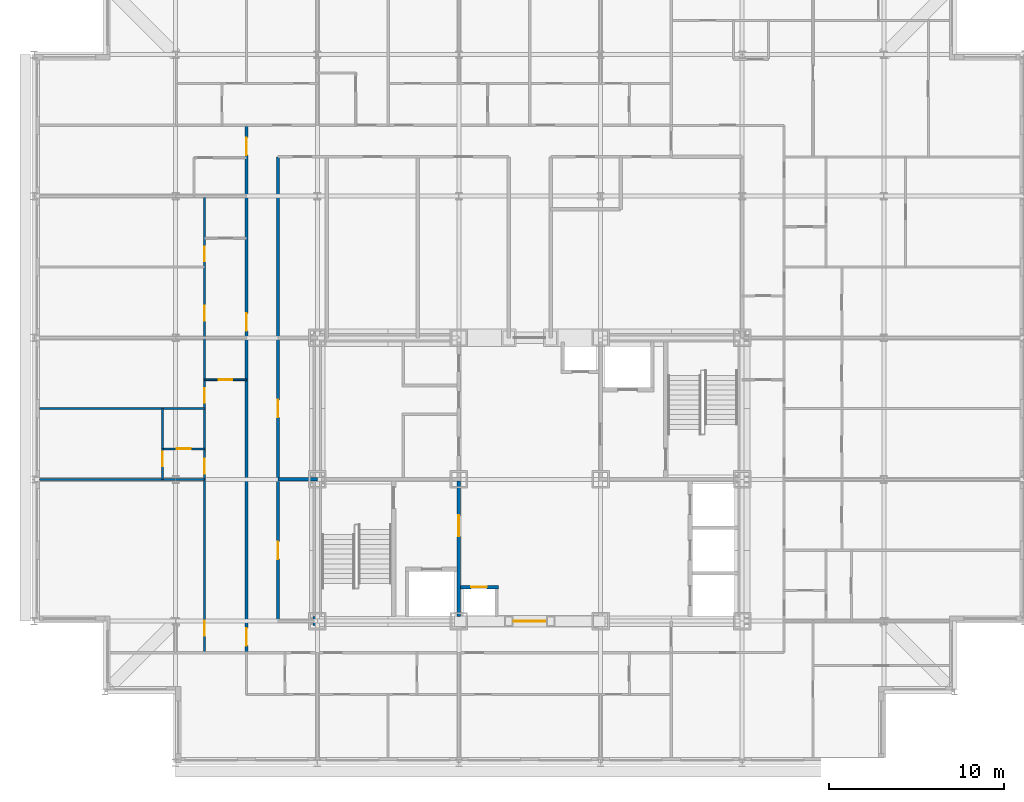
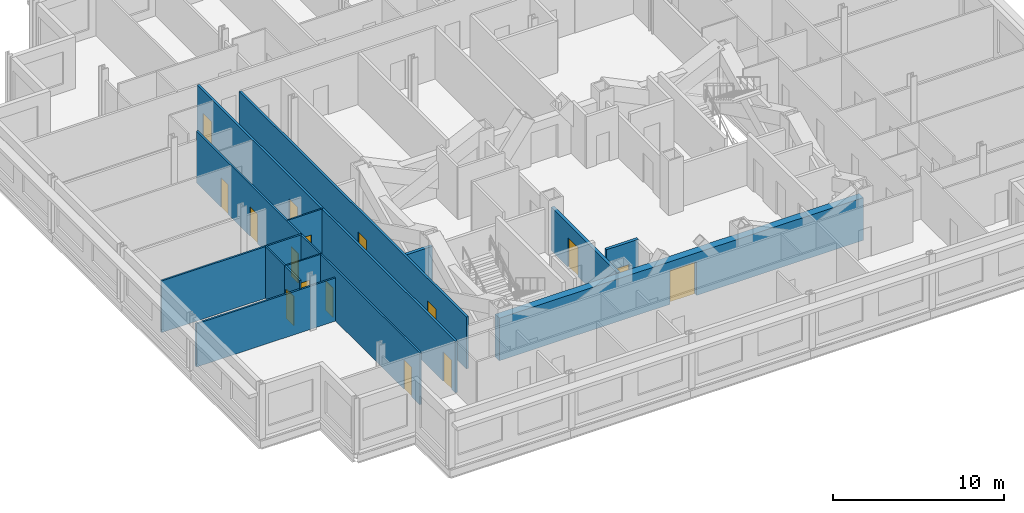
# One storey, part 8 of 15: 16 doors, 13 walls, 16 openings.
"""IFC4 building model written with IfcOpenShell, lengths in metres."""

from ifc_helpers import new_model, si_unit, direction, frame, frame_2d, origin, place, context, subcontext, project, spatial, rectangle, extrude, material, layer, layer_set, type_object, element, fill, save


model = new_model("IFC4")

# Units and contexts
model_context = context("Model", 3, precision=1e-05, world=origin(), true_north=direction((0.0, 1.0)))
body_context = subcontext(model_context, "Body", "Model", "MODEL_VIEW")
ifc_project = project(units=[si_unit("LENGTHUNIT", "METRE"), si_unit("AREAUNIT", "SQUARE_METRE"), si_unit("VOLUMEUNIT", "CUBIC_METRE"), si_unit("PLANEANGLEUNIT", "RADIAN"), si_unit("MASSUNIT", "GRAM", prefix="KILO")], contexts=[model_context])

# Site, building, storey
site_placement = place(None, origin())
site = spatial("IfcSite", under=ifc_project, at=site_placement, CompositionType="ELEMENT")
building_placement = place(site_placement, origin())
building = spatial("IfcBuilding", under=site, at=building_placement, Name="Kopane Lantern Tower", CompositionType="ELEMENT")
storey_placement = place(building_placement, frame((0.0, 0.0, 269.699951171875)))
storey = spatial("IfcBuildingStorey", under=building, at=storey_placement, Name="L69", CompositionType="ELEMENT", Elevation=269.699951171875)

# Wall, openings, doors
ifc_material_1 = material(Name="Gypsum board on steel studs", Category="steel")
ifc_layer_1 = layer(ifc_material_1, 0.1201171875)
ifc_layer_set_1 = layer_set([ifc_layer_1], Name="APARTMENT INTERNAL WALL 120")
wall_type_1 = type_object("IfcWallType", Name="APARTMENT INTERNAL WALL 120", PredefinedType="PARTITIONING", material=ifc_layer_set_1)
wall_1_placement = place(storey_placement, frame((9.75, 22.5, 0.0), z_axis=(0.0, 0.0, 1.0), x_axis=(0.0, 1.0, 0.0)))
wall_1 = element("IfcWall", 1, at=wall_1_placement, inside=storey, type_object=wall_type_1, Name="Apartment Internal Wall 120 L69", PredefinedType="PARTITIONING", context=body_context, shape_type="SweptSolid", body=[
    extrude(rectangle(XDim=26.10009765625, YDim=0.1201171875, at=frame_2d((13.050048828125, 0.0))), origin(), (0.0, 0.0, 1.0), 3.68994140625),
])
opening_1_placement = place(wall_1_placement, frame((0.97509765625, 0.0, 0.0)))
opening_1 = element("IfcOpeningElement", 2, at=opening_1_placement, cuts=wall_1, Name="Opening L69-028", PredefinedType="OPENING", context=body_context, shape_type="SweptSolid", body=[
    extrude(rectangle(XDim=0.85009765625, YDim=2.10009765625, at=frame_2d((0.425048828125, 1.050048828125))), frame((0.0, 0.070068359375, 0.0), z_axis=(0.0, -1.0, 0.0), x_axis=(1.0, 0.0, 0.0)), (0.0, 0.0, 1.0), 0.14013671875),
])
opening_2_placement = place(wall_1_placement, frame((10.22509765625, 0.0, 0.0)))
opening_2 = element("IfcOpeningElement", 3, at=opening_2_placement, cuts=wall_1, Name="Opening L69-030", PredefinedType="OPENING", context=body_context, shape_type="SweptSolid", body=[
    extrude(rectangle(XDim=0.85009765625, YDim=2.10009765625, at=frame_2d((0.425048828125, 1.050048828125))), frame((0.0, 0.070068359375, 0.0), z_axis=(0.0, -1.0, 0.0), x_axis=(1.0, 0.0, 0.0)), (0.0, 0.0, 1.0), 0.14013671875),
])
opening_3_placement = place(wall_1_placement, frame((14.27490234375, 0.0, 0.0)))
opening_3 = element("IfcOpeningElement", 4, at=opening_3_placement, cuts=wall_1, Name="Opening L69-031", PredefinedType="OPENING", context=body_context, shape_type="SweptSolid", body=[
    extrude(rectangle(XDim=0.85009765625, YDim=2.10009765625, at=frame_2d((0.425048828125, 1.050048828125))), frame((0.0, 0.070068359375, 0.0), z_axis=(0.0, -1.0, 0.0), x_axis=(1.0, 0.0, 0.0)), (0.0, 0.0, 1.0), 0.14013671875),
])
opening_4_placement = place(wall_1_placement, frame((18.97509765625, 0.0, 0.0)))
opening_4 = element("IfcOpeningElement", 5, at=opening_4_placement, cuts=wall_1, Name="Opening L69-034", PredefinedType="OPENING", context=body_context, shape_type="SweptSolid", body=[
    extrude(rectangle(XDim=0.85009765625, YDim=2.10009765625, at=frame_2d((0.425048828125, 1.050048828125))), frame((0.0, 0.070068359375, 0.0), z_axis=(0.0, -1.0, 0.0), x_axis=(1.0, 0.0, 0.0)), (0.0, 0.0, 1.0), 0.14013671875),
])
opening_5_placement = place(wall_1_placement, frame((22.375, 0.0, 0.0)))
opening_5 = element("IfcOpeningElement", 6, at=opening_5_placement, cuts=wall_1, Name="Opening L69-035", PredefinedType="OPENING", context=body_context, shape_type="SweptSolid", body=[
    extrude(rectangle(XDim=0.85009765625, YDim=2.10009765625, at=frame_2d((0.425048828125, 1.050048828125))), frame((0.0, 0.070068359375, 0.0), z_axis=(0.0, -1.0, 0.0), x_axis=(1.0, 0.0, 0.0)), (0.0, 0.0, 1.0), 0.14013671875),
])
ifc_material_2 = material(Name="Timber door set", Category="wood")
door_type_1 = type_object("IfcDoorType", Name="DOOR D4 850x2100", OperationType="SINGLE_SWING_LEFT", PredefinedType="DOOR", material=ifc_material_2)
door_1_placement = place(opening_1_placement, origin())
door_1 = element("IfcDoor", 7, at=door_1_placement, inside=storey, type_object=door_type_1, Name="Door L69-028", OperationType="SINGLE_SWING_RIGHT", OverallHeight=2.10009765625, OverallWidth=0.85009765625, PredefinedType="DOOR", context=body_context, shape_type="SweptSolid", body=[
    extrude(rectangle(XDim=0.85009765625, YDim=2.10009765625, at=frame_2d((0.425048828125, 1.050048828125))), frame((0.0, 0.02490234375, 0.0), z_axis=(0.0, -1.0, 0.0), x_axis=(1.0, 0.0, 0.0)), (0.0, 0.0, 1.0), 0.050048828125),
])
fill(opening_1, door_1)
door_2_placement = place(opening_2_placement, origin())
door_2 = element("IfcDoor", 8, at=door_2_placement, inside=storey, type_object=door_type_1, Name="Door L69-030", OperationType="SINGLE_SWING_LEFT", OverallHeight=2.10009765625, OverallWidth=0.85009765625, PredefinedType="DOOR", context=body_context, shape_type="SweptSolid", body=[
    extrude(rectangle(XDim=0.85009765625, YDim=2.10009765625, at=frame_2d((0.425048828125, 1.050048828125))), frame((0.0, 0.02490234375, 0.0), z_axis=(0.0, -1.0, 0.0), x_axis=(1.0, 0.0, 0.0)), (0.0, 0.0, 1.0), 0.050048828125),
])
fill(opening_2, door_2)
door_3_placement = place(opening_3_placement, origin())
door_3 = element("IfcDoor", 9, at=door_3_placement, inside=storey, type_object=door_type_1, Name="Door L69-031", OperationType="SINGLE_SWING_LEFT", OverallHeight=2.10009765625, OverallWidth=0.85009765625, PredefinedType="DOOR", context=body_context, shape_type="SweptSolid", body=[
    extrude(rectangle(XDim=0.85009765625, YDim=2.10009765625, at=frame_2d((0.425048828125, 1.050048828125))), frame((0.0, 0.02490234375, 0.0), z_axis=(0.0, -1.0, 0.0), x_axis=(1.0, 0.0, 0.0)), (0.0, 0.0, 1.0), 0.050048828125),
])
fill(opening_3, door_3)
door_4_placement = place(opening_4_placement, origin())
door_4 = element("IfcDoor", 10, at=door_4_placement, inside=storey, type_object=door_type_1, Name="Door L69-034", OperationType="SINGLE_SWING_RIGHT", OverallHeight=2.10009765625, OverallWidth=0.85009765625, PredefinedType="DOOR", context=body_context, shape_type="SweptSolid", body=[
    extrude(rectangle(XDim=0.85009765625, YDim=2.10009765625, at=frame_2d((0.425048828125, 1.050048828125))), frame((0.0, 0.02490234375, 0.0), z_axis=(0.0, -1.0, 0.0), x_axis=(1.0, 0.0, 0.0)), (0.0, 0.0, 1.0), 0.050048828125),
])
fill(opening_4, door_4)
door_5_placement = place(opening_5_placement, origin())
door_5 = element("IfcDoor", 11, at=door_5_placement, inside=storey, type_object=door_type_1, Name="Door L69-035", OperationType="SINGLE_SWING_LEFT", OverallHeight=2.10009765625, OverallWidth=0.85009765625, PredefinedType="DOOR", context=body_context, shape_type="SweptSolid", body=[
    extrude(rectangle(XDim=0.85009765625, YDim=2.10009765625, at=frame_2d((0.425048828125, 1.050048828125))), frame((0.0, 0.02490234375, 0.0), z_axis=(0.0, -1.0, 0.0), x_axis=(1.0, 0.0, 0.0)), (0.0, 0.0, 1.0), 0.050048828125),
])
fill(opening_5, door_5)

# Walls
wall_2_placement = place(storey_placement, frame((9.75, 32.39990234375, 0.0), z_axis=(0.0, 0.0, 1.0), x_axis=(-1.0, 0.0, 0.0)))
element("IfcWall", 12, at=wall_2_placement, inside=storey, type_object=wall_type_1, Name="Apartment Internal Wall 120 L69", PredefinedType="PARTITIONING", context=body_context, shape_type="SweptSolid", body=[
    extrude(rectangle(XDim=9.449951171875, YDim=0.1201171875, at=frame_2d((4.72509765625, 0.0))), origin(), (0.0, 0.0, 1.0), 3.077880859375),
])
wall_3_placement = place(storey_placement, frame((9.75, 36.449951171875, 0.0), z_axis=(0.0, 0.0, 1.0), x_axis=(-1.0, 0.0, 0.0)))
element("IfcWall", 13, at=wall_3_placement, inside=storey, type_object=wall_type_1, Name="Apartment Internal Wall 120 L69", PredefinedType="PARTITIONING", context=body_context, shape_type="SweptSolid", body=[
    extrude(rectangle(XDim=9.449951171875, YDim=0.1201171875, at=frame_2d((4.72509765625, 0.0))), origin(), (0.0, 0.0, 1.0), 3.68994140625),
])

# Wall, opening, door
wall_4_placement = place(storey_placement, frame((7.35009765625, 32.39990234375, 0.0), z_axis=(0.0, 0.0, 1.0), x_axis=(0.0, 1.0, 0.0)))
wall_4 = element("IfcWall", 14, at=wall_4_placement, inside=storey, type_object=wall_type_1, Name="Apartment Internal Wall 120 L69", PredefinedType="PARTITIONING", context=body_context, shape_type="SweptSolid", body=[
    extrude(rectangle(XDim=1.760009765625, YDim=0.1201171875, at=frame_2d((0.8798828125, 0.0))), origin(), (0.0, 0.0, 1.0), 3.68994140625),
])
opening_6_placement = place(wall_4_placement, frame((0.75, 0.0, 0.0)))
opening_6 = element("IfcOpeningElement", 15, at=opening_6_placement, cuts=wall_4, Name="Opening L69-063", PredefinedType="OPENING", context=body_context, shape_type="SweptSolid", body=[
    extrude(rectangle(XDim=0.85009765625, YDim=2.10009765625, at=frame_2d((0.425048828125, 1.050048828125))), frame((0.0, 0.070068359375, 0.0), z_axis=(0.0, -1.0, 0.0), x_axis=(1.0, 0.0, 0.0)), (0.0, 0.0, 1.0), 0.14013671875),
])
door_6_placement = place(opening_6_placement, origin())
door_6 = element("IfcDoor", 16, at=door_6_placement, inside=storey, type_object=door_type_1, Name="Door L69-063", OperationType="SINGLE_SWING_LEFT", OverallHeight=2.10009765625, OverallWidth=0.85009765625, PredefinedType="DOOR", context=body_context, shape_type="SweptSolid", body=[
    extrude(rectangle(XDim=0.85009765625, YDim=2.10009765625, at=frame_2d((0.425048828125, 1.050048828125))), frame((0.0, 0.02490234375, 0.0), z_axis=(0.0, -1.0, 0.0), x_axis=(1.0, 0.0, 0.0)), (0.0, 0.0, 1.0), 0.050048828125),
])
fill(opening_6, door_6)

ifc_material_3 = material(Name="Moisture-resistant board on steel studs", Category="steel")
ifc_layer_2 = layer(ifc_material_3, 0.10009765625)
ifc_layer_set_2 = layer_set([ifc_layer_2], Name="BATHROOM WALL 100")
wall_type_2 = type_object("IfcWallType", Name="BATHROOM WALL 100", PredefinedType="PARTITIONING", material=ifc_layer_set_2)
wall_5_placement = place(storey_placement, frame((12.14990234375, 38.10009765625, 0.0), z_axis=(0.0, 0.0, 1.0), x_axis=(-1.0, 0.0, 0.0)))
wall_5 = element("IfcWall", 17, at=wall_5_placement, inside=storey, type_object=wall_type_2, Name="Bathroom Wall 100 L69", PredefinedType="PARTITIONING", context=body_context, shape_type="SweptSolid", body=[
    extrude(rectangle(XDim=2.39990234375, YDim=0.10009765625, at=frame_2d((1.199951171875, 0.0))), origin(), (0.0, 0.0, 1.0), 3.68994140625),
])
opening_7_placement = place(wall_5_placement, frame((0.800048828125, 0.0, 0.0)))
opening_7 = element("IfcOpeningElement", 18, at=opening_7_placement, cuts=wall_5, Name="Opening L69-026", PredefinedType="OPENING", context=body_context, shape_type="SweptSolid", body=[
    extrude(rectangle(XDim=0.800048828125, YDim=2.10009765625, at=frame_2d((0.39990234375, 1.050048828125))), frame((0.0, 0.06005859375, 0.0), z_axis=(0.0, -1.0, 0.0), x_axis=(1.0, 0.0, 0.0)), (0.0, 0.0, 1.0), 0.1201171875),
])
ifc_material_4 = material(Name="Timber door set", Category="wood")
door_type_2 = type_object("IfcDoorType", Name="DOOR D2 800x2100", OperationType="SINGLE_SWING_LEFT", PredefinedType="DOOR", material=ifc_material_4)
door_7_placement = place(opening_7_placement, origin())
door_7 = element("IfcDoor", 19, at=door_7_placement, inside=storey, type_object=door_type_2, Name="Door L69-026", OperationType="SINGLE_SWING_RIGHT", OverallHeight=2.10009765625, OverallWidth=0.800048828125, PredefinedType="DOOR", context=body_context, shape_type="SweptSolid", body=[
    extrude(rectangle(XDim=0.800048828125, YDim=2.10009765625, at=frame_2d((0.39990234375, 1.050048828125))), frame((0.0, 0.02490234375, 0.0), z_axis=(0.0, -1.0, 0.0), x_axis=(1.0, 0.0, 0.0)), (0.0, 0.0, 1.0), 0.050048828125),
])
fill(opening_7, door_7)

wall_6_placement = place(storey_placement, frame((9.75, 34.14990234375, 0.0), z_axis=(0.0, 0.0, 1.0), x_axis=(-1.0, 0.0, 0.0)))
wall_6 = element("IfcWall", 20, at=wall_6_placement, inside=storey, type_object=wall_type_2, Name="Bathroom Wall 100 L69", PredefinedType="PARTITIONING", context=body_context, shape_type="SweptSolid", body=[
    extrude(rectangle(XDim=2.39990234375, YDim=0.10009765625, at=frame_2d((1.199951171875, 0.0))), origin(), (0.0, 0.0, 1.0), 3.68994140625),
])
opening_8_placement = place(wall_6_placement, frame((0.800048828125, 0.0, 0.0)))
opening_8 = element("IfcOpeningElement", 21, at=opening_8_placement, cuts=wall_6, Name="Opening L69-029", PredefinedType="OPENING", context=body_context, shape_type="SweptSolid", body=[
    extrude(rectangle(XDim=0.800048828125, YDim=2.10009765625, at=frame_2d((0.39990234375, 1.050048828125))), frame((0.0, 0.06005859375, 0.0), z_axis=(0.0, -1.0, 0.0), x_axis=(1.0, 0.0, 0.0)), (0.0, 0.0, 1.0), 0.1201171875),
])
door_8_placement = place(opening_8_placement, origin())
door_8 = element("IfcDoor", 22, at=door_8_placement, inside=storey, type_object=door_type_2, Name="Door L69-029", OperationType="SINGLE_SWING_RIGHT", OverallHeight=2.10009765625, OverallWidth=0.800048828125, PredefinedType="DOOR", context=body_context, shape_type="SweptSolid", body=[
    extrude(rectangle(XDim=0.800048828125, YDim=2.10009765625, at=frame_2d((0.39990234375, 1.050048828125))), frame((0.0, 0.02490234375, 0.0), z_axis=(0.0, -1.0, 0.0), x_axis=(1.0, 0.0, 0.0)), (0.0, 0.0, 1.0), 0.050048828125),
])
fill(opening_8, door_8)

# Wall
wall_7_placement = place(storey_placement, frame((7.35009765625, 34.14990234375, 0.0), z_axis=(0.0, 0.0, 1.0), x_axis=(0.0, 1.0, 0.0)))
element("IfcWall", 23, at=wall_7_placement, inside=storey, type_object=wall_type_2, Name="Bathroom Wall 100 L69", PredefinedType="PARTITIONING", context=body_context, shape_type="SweptSolid", body=[
    extrude(rectangle(XDim=2.300048828125, YDim=0.10009765625, at=frame_2d((1.14990234375, 0.0))), origin(), (0.0, 0.0, 1.0), 3.68994140625),
])

# Wall, opening, door
ifc_material_5 = material(Name="Gypsum shaft wall EI 120", Category="gypsum")
ifc_layer_3 = layer(ifc_material_5, 0.5)
ifc_layer_set_3 = layer_set([ifc_layer_3], Name="CORE PERIMETER WALL 500 EI 120")
wall_type_3 = type_object("IfcWallType", Name="CORE PERIMETER WALL 500 EI 120", PredefinedType="SOLIDWALL", material=ifc_layer_set_3)
wall_8_placement = place(storey_placement, frame((15.949951171875, 24.300048828125, 0.0), z_axis=(0.0, 0.0, 1.0), x_axis=(1.0, 0.0, 0.0)))
wall_8 = element("IfcWall", 24, at=wall_8_placement, inside=storey, type_object=wall_type_3, Name="Core shaft wall L69 PS", PredefinedType="SOLIDWALL", context=body_context, shape_type="SweptSolid", body=[
    extrude(rectangle(XDim=24.550048828125, YDim=0.5, at=frame_2d((12.27490234375, 0.0))), origin(), (0.0, 0.0, 1.0), 3.0400390625),
])
opening_9_placement = place(wall_8_placement, frame((11.5, 0.0, 0.0)))
opening_9 = element("IfcOpeningElement", 25, at=opening_9_placement, cuts=wall_8, Name="Opening 69.CE-S", PredefinedType="OPENING", context=body_context, shape_type="SweptSolid", body=[
    extrude(rectangle(XDim=1.800048828125, YDim=2.39990234375, at=frame_2d((0.89990234375, 1.199951171875))), frame((0.0, 0.260009765625, 0.0), z_axis=(0.0, -1.0, 0.0), x_axis=(1.0, 0.0, 0.0)), (0.0, 0.0, 1.0), 0.52001953125),
])
ifc_material_6 = material(Name="Steel door set", Category="steel")
door_type_3 = type_object("IfcDoorType", Name="CORE ENTRY DOOR 1800x2400 FD60S", OperationType="DOUBLE_DOOR_SINGLE_SWING", PredefinedType="DOOR", material=ifc_material_6)
door_9_placement = place(opening_9_placement, origin())
door_9 = element("IfcDoor", 26, at=door_9_placement, inside=storey, type_object=door_type_3, Name="Core entry door L69 south", OperationType="DOUBLE_DOOR_SINGLE_SWING", OverallHeight=2.39990234375, OverallWidth=1.800048828125, PredefinedType="DOOR", context=body_context, shape_type="SweptSolid", body=[
    extrude(rectangle(XDim=1.800048828125, YDim=2.39990234375, at=frame_2d((0.89990234375, 1.199951171875))), frame((0.0, 0.02490234375, 0.0), z_axis=(0.0, -1.0, 0.0), x_axis=(1.0, 0.0, 0.0)), (0.0, 0.0, 1.0), 0.050048828125),
])
fill(opening_9, door_9)

# Wall, openings, doors
ifc_material_7 = material(Name="Gypsum board on steel studs", Category="steel")
ifc_layer_4 = layer(ifc_material_7, 0.14990234375)
ifc_layer_set_4 = layer_set([ifc_layer_4], Name="CORRIDOR WALL 150 EI 60")
wall_type_4 = type_object("IfcWallType", Name="CORRIDOR WALL 150 EI 60", PredefinedType="PARTITIONING", material=ifc_layer_set_4)
wall_9_placement = place(storey_placement, frame((12.14990234375, 22.5, 0.0), z_axis=(0.0, 0.0, 1.0), x_axis=(0.0, 1.0, 0.0)))
wall_9 = element("IfcWall", 27, at=wall_9_placement, inside=storey, type_object=wall_type_4, Name="Corridor Wall 150 Ei 60 L69", PredefinedType="PARTITIONING", context=body_context, shape_type="SweptSolid", body=[
    extrude(rectangle(XDim=30.14990234375, YDim=0.14990234375, at=frame_2d((15.074951171875, 0.0))), origin(), (0.0, 0.0, 1.0), 3.68994140625),
])
opening_10_placement = place(wall_9_placement, frame((0.39990234375, 0.0, 0.0)))
opening_10 = element("IfcOpeningElement", 28, at=opening_10_placement, cuts=wall_9, Name="Opening L69-027", PredefinedType="OPENING", context=body_context, shape_type="SweptSolid", body=[
    extrude(rectangle(XDim=1.0, YDim=2.10009765625, at=frame_2d((0.5, 1.050048828125))), frame((0.0, 0.0849609375, 0.0), z_axis=(0.0, -1.0, 0.0), x_axis=(1.0, 0.0, 0.0)), (0.0, 0.0, 1.0), 0.169921875),
])
opening_11_placement = place(wall_9_placement, frame((18.39990234375, 0.0, 0.0)))
opening_11 = element("IfcOpeningElement", 29, at=opening_11_placement, cuts=wall_9, Name="Opening L69-033", PredefinedType="OPENING", context=body_context, shape_type="SweptSolid", body=[
    extrude(rectangle(XDim=1.0, YDim=2.10009765625, at=frame_2d((0.5, 1.050048828125))), frame((0.0, 0.0849609375, 0.0), z_axis=(0.0, -1.0, 0.0), x_axis=(1.0, 0.0, 0.0)), (0.0, 0.0, 1.0), 0.169921875),
])
opening_12_placement = place(wall_9_placement, frame((28.449951171875, 0.0, 0.0)))
opening_12 = element("IfcOpeningElement", 30, at=opening_12_placement, cuts=wall_9, Name="Opening L69-037", PredefinedType="OPENING", context=body_context, shape_type="SweptSolid", body=[
    extrude(rectangle(XDim=1.0, YDim=2.10009765625, at=frame_2d((0.5, 1.050048828125))), frame((0.0, 0.0849609375, 0.0), z_axis=(0.0, -1.0, 0.0), x_axis=(1.0, 0.0, 0.0)), (0.0, 0.0, 1.0), 0.169921875),
])
ifc_material_8 = material(Name="Steel door set", Category="steel")
door_type_4 = type_object("IfcDoorType", Name="DOOR D3 1000x2100 FD30S", OperationType="SINGLE_SWING_LEFT", PredefinedType="DOOR", material=ifc_material_8)
door_10_placement = place(opening_10_placement, origin())
door_10 = element("IfcDoor", 31, at=door_10_placement, inside=storey, type_object=door_type_4, Name="Door L69-027", OperationType="SINGLE_SWING_LEFT", OverallHeight=2.10009765625, OverallWidth=1.0, PredefinedType="DOOR", context=body_context, shape_type="SweptSolid", body=[
    extrude(rectangle(XDim=1.0, YDim=2.10009765625, at=frame_2d((0.5, 1.050048828125))), frame((0.0, 0.02490234375, 0.0), z_axis=(0.0, -1.0, 0.0), x_axis=(1.0, 0.0, 0.0)), (0.0, 0.0, 1.0), 0.050048828125),
])
fill(opening_10, door_10)
door_11_placement = place(opening_11_placement, origin())
door_11 = element("IfcDoor", 32, at=door_11_placement, inside=storey, type_object=door_type_4, Name="Door L69-033", OperationType="SINGLE_SWING_LEFT", OverallHeight=2.10009765625, OverallWidth=1.0, PredefinedType="DOOR", context=body_context, shape_type="SweptSolid", body=[
    extrude(rectangle(XDim=1.0, YDim=2.10009765625, at=frame_2d((0.5, 1.050048828125))), frame((0.0, 0.02490234375, 0.0), z_axis=(0.0, -1.0, 0.0), x_axis=(1.0, 0.0, 0.0)), (0.0, 0.0, 1.0), 0.050048828125),
])
fill(opening_11, door_11)
door_12_placement = place(opening_12_placement, origin())
door_12 = element("IfcDoor", 33, at=door_12_placement, inside=storey, type_object=door_type_4, Name="Door L69-037", OperationType="SINGLE_SWING_LEFT", OverallHeight=2.10009765625, OverallWidth=1.0, PredefinedType="DOOR", context=body_context, shape_type="SweptSolid", body=[
    extrude(rectangle(XDim=1.0, YDim=2.10009765625, at=frame_2d((0.5, 1.050048828125))), frame((0.0, 0.02490234375, 0.0), z_axis=(0.0, -1.0, 0.0), x_axis=(1.0, 0.0, 0.0)), (0.0, 0.0, 1.0), 0.050048828125),
])
fill(opening_12, door_12)

wall_10_placement = place(storey_placement, frame((13.949951171875, 24.300048828125, 0.0), z_axis=(0.0, 0.0, 1.0), x_axis=(0.0, 1.0, 0.0)))
wall_10 = element("IfcWall", 34, at=wall_10_placement, inside=storey, type_object=wall_type_4, Name="Corridor Wall 150 Ei 60 L69", PredefinedType="PARTITIONING", context=body_context, shape_type="SweptSolid", body=[
    extrude(rectangle(XDim=26.550048828125, YDim=0.14990234375, at=frame_2d((13.27490234375, 0.0))), origin(), (0.0, 0.0, 1.0), 3.68994140625),
])
opening_13_placement = place(wall_10_placement, frame((3.550048828125, 0.0, 0.0)))
opening_13 = element("IfcOpeningElement", 35, at=opening_13_placement, cuts=wall_10, Name="Opening L69-001", PredefinedType="OPENING", context=body_context, shape_type="SweptSolid", body=[
    extrude(rectangle(XDim=1.0, YDim=2.10009765625, at=frame_2d((0.5, 1.050048828125))), frame((0.0, 0.0849609375, 0.0), z_axis=(0.0, -1.0, 0.0), x_axis=(1.0, 0.0, 0.0)), (0.0, 0.0, 1.0), 0.169921875),
])
opening_14_placement = place(wall_10_placement, frame((11.64990234375, 0.0, 0.0)))
opening_14 = element("IfcOpeningElement", 36, at=opening_14_placement, cuts=wall_10, Name="Opening L69-002", PredefinedType="OPENING", context=body_context, shape_type="SweptSolid", body=[
    extrude(rectangle(XDim=1.0, YDim=2.10009765625, at=frame_2d((0.5, 1.050048828125))), frame((0.0, 0.0849609375, 0.0), z_axis=(0.0, -1.0, 0.0), x_axis=(1.0, 0.0, 0.0)), (0.0, 0.0, 1.0), 0.169921875),
])
ifc_material_9 = material(Name="Steel door set", Category="steel")
door_type_5 = type_object("IfcDoorType", Name="DOOR D5 1000x2100 FD60", OperationType="SINGLE_SWING_LEFT", PredefinedType="DOOR", material=ifc_material_9)
door_13_placement = place(opening_13_placement, origin())
door_13 = element("IfcDoor", 37, at=door_13_placement, inside=storey, type_object=door_type_5, Name="Door L69-001", OperationType="SINGLE_SWING_RIGHT", OverallHeight=2.10009765625, OverallWidth=1.0, PredefinedType="DOOR", context=body_context, shape_type="SweptSolid", body=[
    extrude(rectangle(XDim=1.0, YDim=2.10009765625, at=frame_2d((0.5, 1.050048828125))), frame((0.0, 0.02490234375, 0.0), z_axis=(0.0, -1.0, 0.0), x_axis=(1.0, 0.0, 0.0)), (0.0, 0.0, 1.0), 0.050048828125),
])
fill(opening_13, door_13)
door_14_placement = place(opening_14_placement, origin())
door_14 = element("IfcDoor", 38, at=door_14_placement, inside=storey, type_object=door_type_5, Name="Door L69-002", OperationType="SINGLE_SWING_LEFT", OverallHeight=2.10009765625, OverallWidth=1.0, PredefinedType="DOOR", context=body_context, shape_type="SweptSolid", body=[
    extrude(rectangle(XDim=1.0, YDim=2.10009765625, at=frame_2d((0.5, 1.050048828125))), frame((0.0, 0.02490234375, 0.0), z_axis=(0.0, -1.0, 0.0), x_axis=(1.0, 0.0, 0.0)), (0.0, 0.0, 1.0), 0.050048828125),
])
fill(opening_14, door_14)

# Wall
ifc_material_10 = material(Name="Concrete masonry", Category="masonry")
ifc_layer_5 = layer(ifc_material_10, 0.199951171875)
ifc_layer_set_5 = layer_set([ifc_layer_5], Name="PLANT ROOM WALL 200 EI 120")
wall_type_5 = type_object("IfcWallType", Name="PLANT ROOM WALL 200 EI 120", PredefinedType="SOLIDWALL", material=ifc_layer_set_5)
wall_11_placement = place(storey_placement, frame((13.949951171875, 32.39990234375, 0.0), z_axis=(0.0, 0.0, 1.0), x_axis=(1.0, 0.0, 0.0)))
element("IfcWall", 39, at=wall_11_placement, inside=storey, type_object=wall_type_5, Name="Plant Room Wall 200 Ei 120 L69", PredefinedType="SOLIDWALL", context=body_context, shape_type="SweptSolid", body=[
    extrude(rectangle(XDim=2.25, YDim=0.199951171875, at=frame_2d((1.125, 0.0))), origin(), (0.0, 0.0, 1.0), 3.077880859375),
])

# Wall, opening, door
ifc_material_11 = material(Name="Gypsum shaft wall EI 120", Category="gypsum")
ifc_layer_6 = layer(ifc_material_11, 0.199951171875)
ifc_layer_set_6 = layer_set([ifc_layer_6], Name="SHAFT WALL 200 EI 120")
wall_type_6 = type_object("IfcWallType", Name="SHAFT WALL 200 EI 120", PredefinedType="SOLIDWALL", material=ifc_layer_set_6)
wall_12_placement = place(storey_placement, frame((24.300048828125, 24.550048828125, 0.0), z_axis=(0.0, 0.0, 1.0), x_axis=(0.0, 1.0, 0.0)))
wall_12 = element("IfcWall", 40, at=wall_12_placement, inside=storey, type_object=wall_type_6, Name="Core shaft wall L69 X243", PredefinedType="SOLIDWALL", context=body_context, shape_type="SweptSolid", body=[
    extrude(rectangle(XDim=7.75, YDim=0.199951171875, at=frame_2d((3.875, 0.0))), origin(), (0.0, 0.0, 1.0), 3.077880859375),
])
opening_15_placement = place(wall_12_placement, frame((4.60009765625, 0.0, 0.0)))
opening_15 = element("IfcOpeningElement", 41, at=opening_15_placement, cuts=wall_12, Name="Opening 69.FL1", PredefinedType="OPENING", context=body_context, shape_type="SweptSolid", body=[
    extrude(rectangle(XDim=1.199951171875, YDim=2.10009765625, at=frame_2d((0.60009765625, 1.050048828125))), frame((0.0, 0.10986328125, 0.0), z_axis=(0.0, -1.0, 0.0), x_axis=(1.0, 0.0, 0.0)), (0.0, 0.0, 1.0), 0.219970703125),
])
ifc_material_12 = material(Name="Steel door set", Category="steel")
door_type_6 = type_object("IfcDoorType", Name="FIREFIGHTING LOBBY DOOR 1200x2100 FD60S", OperationType="SINGLE_SWING_RIGHT", PredefinedType="DOOR", material=ifc_material_12)
door_15_placement = place(opening_15_placement, origin())
door_15 = element("IfcDoor", 42, at=door_15_placement, inside=storey, type_object=door_type_6, Name="Firefighting lobby door FL1 L69", OperationType="SINGLE_SWING_LEFT", OverallHeight=2.10009765625, OverallWidth=1.199951171875, PredefinedType="DOOR", context=body_context, shape_type="SweptSolid", body=[
    extrude(rectangle(XDim=1.199951171875, YDim=2.10009765625, at=frame_2d((0.60009765625, 1.050048828125))), frame((0.0, 0.02490234375, 0.0), z_axis=(0.0, -1.0, 0.0), x_axis=(1.0, 0.0, 0.0)), (0.0, 0.0, 1.0), 0.050048828125),
])
fill(opening_15, door_15)

wall_13_placement = place(storey_placement, frame((24.39990234375, 26.25, 0.0), z_axis=(0.0, 0.0, 1.0), x_axis=(1.0, 0.0, 0.0)))
wall_13 = element("IfcWall", 43, at=wall_13_placement, inside=storey, type_object=wall_type_6, Name="Core shaft wall L69 YRS1", PredefinedType="SOLIDWALL", context=body_context, shape_type="SweptSolid", body=[
    extrude(rectangle(XDim=2.150146484375, YDim=0.199951171875, at=frame_2d((1.0751953125, 0.0))), origin(), (0.0, 0.0, 1.0), 3.68994140625),
])
opening_16_placement = place(wall_13_placement, frame((0.60009765625, 0.0, 0.0)))
opening_16 = element("IfcOpeningElement", 44, at=opening_16_placement, cuts=wall_13, Name="Opening 69.RS1", PredefinedType="OPENING", context=body_context, shape_type="SweptSolid", body=[
    extrude(rectangle(XDim=0.89990234375, YDim=2.10009765625, at=frame_2d((0.449951171875, 1.050048828125))), frame((0.0, 0.10986328125, 0.0), z_axis=(0.0, -1.0, 0.0), x_axis=(1.0, 0.0, 0.0)), (0.0, 0.0, 1.0), 0.219970703125),
])
ifc_material_13 = material(Name="Steel door set", Category="steel")
door_type_7 = type_object("IfcDoorType", Name="RISER ACCESS DOOR 900x2100 FD60", OperationType="SINGLE_SWING_LEFT", PredefinedType="DOOR", material=ifc_material_13)
door_16_placement = place(opening_16_placement, origin())
door_16 = element("IfcDoor", 45, at=door_16_placement, inside=storey, type_object=door_type_7, Name="Riser access door RS1 L69", OperationType="SINGLE_SWING_LEFT", OverallHeight=2.10009765625, OverallWidth=0.89990234375, PredefinedType="DOOR", context=body_context, shape_type="SweptSolid", body=[
    extrude(rectangle(XDim=0.89990234375, YDim=2.10009765625, at=frame_2d((0.449951171875, 1.050048828125))), frame((0.0, 0.02490234375, 0.0), z_axis=(0.0, -1.0, 0.0), x_axis=(1.0, 0.0, 0.0)), (0.0, 0.0, 1.0), 0.050048828125),
])
fill(opening_16, door_16)

save(model, "model.ifc")
